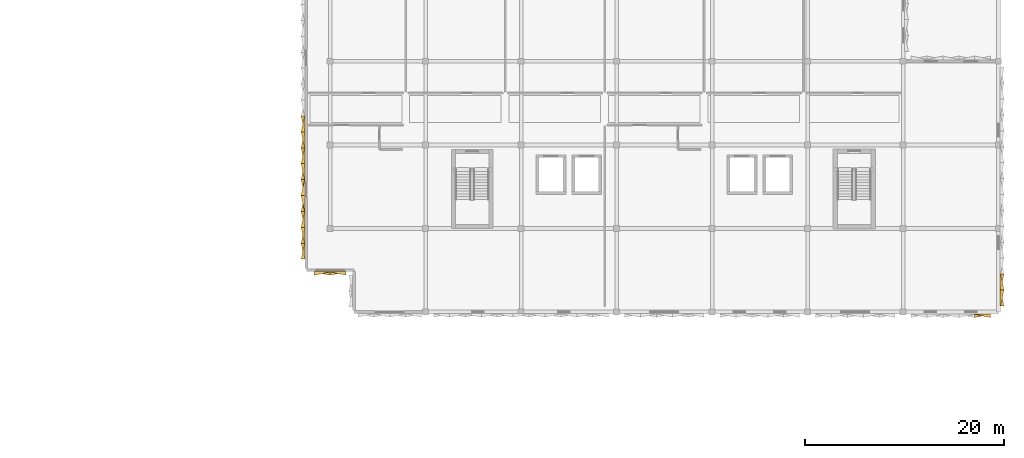
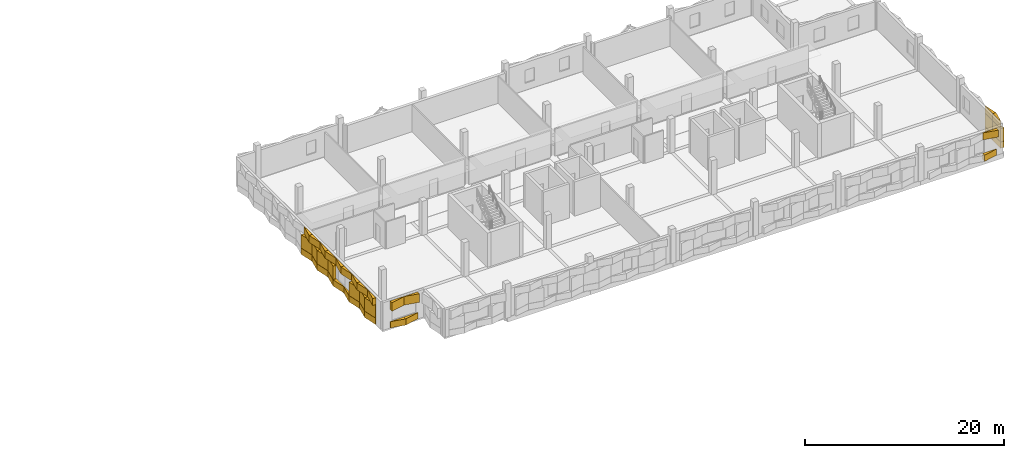
# One storey, part 15 of 18: 37 coverings.
"""IFC4 building model written with IfcOpenShell, lengths in metres."""

from ifc_helpers import new_model, si_unit, direction, frame, origin, place, context, subcontext, project, spatial, polyline, outline, extrude, material, type_object, element, save


model = new_model("IFC4")

# Units and contexts
model_context = context("Model", 3, precision=1e-05, world=origin(), true_north=direction((0.0, 1.0)))
body_context = subcontext(model_context, "Body", "Model", "MODEL_VIEW")
ifc_project = project(units=[si_unit("LENGTHUNIT", "METRE"), si_unit("AREAUNIT", "SQUARE_METRE"), si_unit("VOLUMEUNIT", "CUBIC_METRE"), si_unit("PLANEANGLEUNIT", "RADIAN"), si_unit("MASSUNIT", "GRAM", prefix="KILO")], contexts=[model_context])

# Site, building, storey
site_placement = place(None, origin())
site = spatial("IfcSite", under=ifc_project, at=site_placement, CompositionType="ELEMENT")
building_placement = place(site_placement, origin())
building = spatial("IfcBuilding", under=site, at=building_placement, Name="Oolite Switchyard Hospital", CompositionType="ELEMENT")
storey_placement = place(building_placement, frame((0.0, 0.0, 26.199951171875)))
storey = spatial("IfcBuildingStorey", under=building, at=storey_placement, Name="L06", CompositionType="ELEMENT", Elevation=26.199951171875)

# Coverings
ifc_material = material(Name="Precast oolitic limestone architectural concrete C40/50", Category="masonry")
covering_type = type_object("IfcCoveringType", Name="COV-CHEV-COOL", PredefinedType="CLADDING", material=ifc_material)
covering_1_placement = place(storey_placement, frame((210.39990234375, 100.610107421875, 0.050048828125), z_axis=(0.0, 0.0, 1.0), x_axis=(-1.0, 0.0, 0.0)))
element("IfcCovering", 1, at=covering_1_placement, inside=storey, type_object=covering_type, Name="L06 Chevron Precast Oolite Panel 1508", PredefinedType="CLADDING", context=body_context, shape_type="SweptSolid", body=[
    extrude(outline(polyline([(0.0, 0.0), (1.599853515625, 0.0), (1.599853515625, 0.385009765625), (0.0, 0.044921875), (0.0, 0.0)])), origin(), (0.0, 0.0, 1.0), 0.760009765625),
])
covering_2_placement = place(storey_placement, frame((210.39990234375, 100.610107421875, 2.489990234375), z_axis=(0.0, 0.0, 1.0), x_axis=(-1.0, 0.0, 0.0)))
element("IfcCovering", 2, at=covering_2_placement, inside=storey, type_object=covering_type, Name="L06 Chevron Precast Oolite Panel 1509", PredefinedType="CLADDING", context=body_context, shape_type="SweptSolid", body=[
    extrude(outline(polyline([(0.0, 0.0), (1.599853515625, 0.0), (1.599853515625, 0.044921875), (0.0, 0.385009765625), (0.0, 0.0)])), origin(), (0.0, 0.0, 1.0), 0.85009765625),
])
covering_3_placement = place(storey_placement, frame((145.60009765625, 104.8701171875, 0.050048828125), z_axis=(0.0, 0.0, 1.0), x_axis=(-1.0, 0.0, 0.0)))
element("IfcCovering", 3, at=covering_3_placement, inside=storey, type_object=covering_type, Name="L06 Chevron Precast Oolite Panel 1519", PredefinedType="CLADDING", context=body_context, shape_type="SweptSolid", body=[
    extrude(outline(polyline([(0.0, 0.0), (1.60009765625, 0.0), (1.60009765625, 0.385009765625), (0.0, 0.044921875), (0.0, 0.0)])), origin(), (0.0, 0.0, 1.0), 0.760009765625),
])
covering_4_placement = place(storey_placement, frame((145.60009765625, 104.8701171875, 2.2900390625), z_axis=(0.0, 0.0, 1.0), x_axis=(-1.0, 0.0, 0.0)))
element("IfcCovering", 4, at=covering_4_placement, inside=storey, type_object=covering_type, Name="L06 Chevron Precast Oolite Panel 1520", PredefinedType="CLADDING", context=body_context, shape_type="SweptSolid", body=[
    extrude(outline(polyline([(0.0, 0.0), (1.60009765625, 0.0), (1.60009765625, 0.044921875), (0.0, 0.385009765625), (0.0, 0.0)])), origin(), (0.0, 0.0, 1.0), 1.050048828125),
])
covering_5_placement = place(storey_placement, frame((144.0, 104.8701171875, 0.050048828125), z_axis=(0.0, 0.0, 1.0), x_axis=(-1.0, 0.0, 0.0)))
element("IfcCovering", 5, at=covering_5_placement, inside=storey, type_object=covering_type, Name="L06 Chevron Precast Oolite Panel 1521", PredefinedType="CLADDING", context=body_context, shape_type="SweptSolid", body=[
    extrude(outline(polyline([(0.0, 0.0), (1.60009765625, 0.0), (1.60009765625, 0.044921875), (0.0, 0.385009765625), (0.0, 0.0)])), origin(), (0.0, 0.0, 1.0), 0.760009765625),
])
covering_6_placement = place(storey_placement, frame((144.0, 104.8701171875, 2.2900390625), z_axis=(0.0, 0.0, 1.0), x_axis=(-1.0, 0.0, 0.0)))
element("IfcCovering", 6, at=covering_6_placement, inside=storey, type_object=covering_type, Name="L06 Chevron Precast Oolite Panel 1522", PredefinedType="CLADDING", context=body_context, shape_type="SweptSolid", body=[
    extrude(outline(polyline([(0.0, 0.0), (1.60009765625, 0.0), (1.60009765625, 0.385009765625), (0.0, 0.044921875), (0.0, 0.0)])), origin(), (0.0, 0.0, 1.0), 1.050048828125),
])
covering_7_placement = place(storey_placement, frame((141.469970703125, 106.10009765625, 0.050048828125), z_axis=(0.0, 0.0, 1.0), x_axis=(0.0, 1.0, 0.0)))
element("IfcCovering", 7, at=covering_7_placement, inside=storey, type_object=covering_type, Name="L06 Chevron Precast Oolite Panel 1595", PredefinedType="CLADDING", context=body_context, shape_type="SweptSolid", body=[
    extrude(outline(polyline([(0.0, 0.0), (1.599853515625, 0.0), (1.599853515625, 0.385009765625), (0.0, 0.044921875), (0.0, 0.0)])), origin(), (0.0, 0.0, 1.0), 0.760009765625),
])
covering_8_placement = place(storey_placement, frame((141.469970703125, 106.10009765625, 2.489990234375), z_axis=(0.0, 0.0, 1.0), x_axis=(0.0, 1.0, 0.0)))
element("IfcCovering", 8, at=covering_8_placement, inside=storey, type_object=covering_type, Name="L06 Chevron Precast Oolite Panel 1596", PredefinedType="CLADDING", context=body_context, shape_type="SweptSolid", body=[
    extrude(outline(polyline([(0.0, 0.0), (1.599853515625, 0.0), (1.599853515625, 0.044921875), (0.0, 0.385009765625), (0.0, 0.0)])), origin(), (0.0, 0.0, 1.0), 0.85009765625),
])
covering_9_placement = place(storey_placement, frame((141.469970703125, 106.10009765625, 0.830078125), z_axis=(0.0, 0.0, 1.0), x_axis=(0.0, 1.0, 0.0)))
element("IfcCovering", 9, at=covering_9_placement, inside=storey, type_object=covering_type, Name="L06 Chevron Precast Oolite Panel 1597", PredefinedType="CLADDING", context=body_context, shape_type="SweptSolid", body=[
    extrude(outline(polyline([(0.0, 0.0), (1.599853515625, 0.0), (1.599853515625, 0.385009765625), (0.0, 0.044921875), (0.0, 0.0)])), origin(), (0.0, 0.0, 1.0), 1.639892578125),
])
covering_10_placement = place(storey_placement, frame((141.469970703125, 107.699951171875, 0.050048828125), z_axis=(0.0, 0.0, 1.0), x_axis=(0.0, 1.0, 0.0)))
element("IfcCovering", 10, at=covering_10_placement, inside=storey, type_object=covering_type, Name="L06 Chevron Precast Oolite Panel 1598", PredefinedType="CLADDING", context=body_context, shape_type="SweptSolid", body=[
    extrude(outline(polyline([(0.0, 0.0), (1.60009765625, 0.0), (1.60009765625, 0.044921875), (0.0, 0.385009765625), (0.0, 0.0)])), origin(), (0.0, 0.0, 1.0), 0.760009765625),
])
covering_11_placement = place(storey_placement, frame((141.469970703125, 107.699951171875, 2.489990234375), z_axis=(0.0, 0.0, 1.0), x_axis=(0.0, 1.0, 0.0)))
element("IfcCovering", 11, at=covering_11_placement, inside=storey, type_object=covering_type, Name="L06 Chevron Precast Oolite Panel 1599", PredefinedType="CLADDING", context=body_context, shape_type="SweptSolid", body=[
    extrude(outline(polyline([(0.0, 0.0), (1.60009765625, 0.0), (1.60009765625, 0.385009765625), (0.0, 0.044921875), (0.0, 0.0)])), origin(), (0.0, 0.0, 1.0), 0.85009765625),
])
covering_12_placement = place(storey_placement, frame((141.469970703125, 107.699951171875, 0.830078125), z_axis=(0.0, 0.0, 1.0), x_axis=(0.0, 1.0, 0.0)))
element("IfcCovering", 12, at=covering_12_placement, inside=storey, type_object=covering_type, Name="L06 Chevron Precast Oolite Panel 1600", PredefinedType="CLADDING", context=body_context, shape_type="SweptSolid", body=[
    extrude(outline(polyline([(0.0, 0.0), (1.60009765625, 0.0), (1.60009765625, 0.044921875), (0.0, 0.385009765625), (0.0, 0.0)])), origin(), (0.0, 0.0, 1.0), 1.639892578125),
])
covering_13_placement = place(storey_placement, frame((141.469970703125, 109.300048828125, 0.050048828125), z_axis=(0.0, 0.0, 1.0), x_axis=(0.0, 1.0, 0.0)))
element("IfcCovering", 13, at=covering_13_placement, inside=storey, type_object=covering_type, Name="L06 Chevron Precast Oolite Panel 1601", PredefinedType="CLADDING", context=body_context, shape_type="SweptSolid", body=[
    extrude(outline(polyline([(0.0, 0.0), (1.599853515625, 0.0), (1.599853515625, 0.385009765625), (0.0, 0.044921875), (0.0, 0.0)])), origin(), (0.0, 0.0, 1.0), 0.760009765625),
])
covering_14_placement = place(storey_placement, frame((141.469970703125, 109.300048828125, 2.489990234375), z_axis=(0.0, 0.0, 1.0), x_axis=(0.0, 1.0, 0.0)))
element("IfcCovering", 14, at=covering_14_placement, inside=storey, type_object=covering_type, Name="L06 Chevron Precast Oolite Panel 1602", PredefinedType="CLADDING", context=body_context, shape_type="SweptSolid", body=[
    extrude(outline(polyline([(0.0, 0.0), (1.599853515625, 0.0), (1.599853515625, 0.044921875), (0.0, 0.385009765625), (0.0, 0.0)])), origin(), (0.0, 0.0, 1.0), 0.85009765625),
])
covering_15_placement = place(storey_placement, frame((141.469970703125, 109.300048828125, 0.830078125), z_axis=(0.0, 0.0, 1.0), x_axis=(0.0, 1.0, 0.0)))
element("IfcCovering", 15, at=covering_15_placement, inside=storey, type_object=covering_type, Name="L06 Chevron Precast Oolite Panel 1603", PredefinedType="CLADDING", context=body_context, shape_type="SweptSolid", body=[
    extrude(outline(polyline([(0.0, 0.0), (1.599853515625, 0.0), (1.599853515625, 0.385009765625), (0.0, 0.044921875), (0.0, 0.0)])), origin(), (0.0, 0.0, 1.0), 1.639892578125),
])
covering_16_placement = place(storey_placement, frame((141.469970703125, 110.89990234375, 0.050048828125), z_axis=(0.0, 0.0, 1.0), x_axis=(0.0, 1.0, 0.0)))
element("IfcCovering", 16, at=covering_16_placement, inside=storey, type_object=covering_type, Name="L06 Chevron Precast Oolite Panel 1604", PredefinedType="CLADDING", context=body_context, shape_type="SweptSolid", body=[
    extrude(outline(polyline([(0.0, 0.0), (1.60009765625, 0.0), (1.60009765625, 0.044921875), (0.0, 0.385009765625), (0.0, 0.0)])), origin(), (0.0, 0.0, 1.0), 0.760009765625),
])
covering_17_placement = place(storey_placement, frame((141.469970703125, 110.89990234375, 2.489990234375), z_axis=(0.0, 0.0, 1.0), x_axis=(0.0, 1.0, 0.0)))
element("IfcCovering", 17, at=covering_17_placement, inside=storey, type_object=covering_type, Name="L06 Chevron Precast Oolite Panel 1605", PredefinedType="CLADDING", context=body_context, shape_type="SweptSolid", body=[
    extrude(outline(polyline([(0.0, 0.0), (1.60009765625, 0.0), (1.60009765625, 0.385009765625), (0.0, 0.044921875), (0.0, 0.0)])), origin(), (0.0, 0.0, 1.0), 0.85009765625),
])
covering_18_placement = place(storey_placement, frame((141.469970703125, 112.5, 0.050048828125), z_axis=(0.0, 0.0, 1.0), x_axis=(0.0, 1.0, 0.0)))
element("IfcCovering", 18, at=covering_18_placement, inside=storey, type_object=covering_type, Name="L06 Chevron Precast Oolite Panel 1606", PredefinedType="CLADDING", context=body_context, shape_type="SweptSolid", body=[
    extrude(outline(polyline([(0.0, 0.0), (1.60009765625, 0.0), (1.60009765625, 0.385009765625), (0.0, 0.044921875), (0.0, 0.0)])), origin(), (0.0, 0.0, 1.0), 0.760009765625),
])
covering_19_placement = place(storey_placement, frame((141.469970703125, 112.5, 2.489990234375), z_axis=(0.0, 0.0, 1.0), x_axis=(0.0, 1.0, 0.0)))
element("IfcCovering", 19, at=covering_19_placement, inside=storey, type_object=covering_type, Name="L06 Chevron Precast Oolite Panel 1607", PredefinedType="CLADDING", context=body_context, shape_type="SweptSolid", body=[
    extrude(outline(polyline([(0.0, 0.0), (1.60009765625, 0.0), (1.60009765625, 0.044921875), (0.0, 0.385009765625), (0.0, 0.0)])), origin(), (0.0, 0.0, 1.0), 0.85009765625),
])
covering_20_placement = place(storey_placement, frame((141.469970703125, 114.10009765625, 0.050048828125), z_axis=(0.0, 0.0, 1.0), x_axis=(0.0, 1.0, 0.0)))
element("IfcCovering", 20, at=covering_20_placement, inside=storey, type_object=covering_type, Name="L06 Chevron Precast Oolite Panel 1608", PredefinedType="CLADDING", context=body_context, shape_type="SweptSolid", body=[
    extrude(outline(polyline([(0.0, 0.0), (1.599853515625, 0.0), (1.599853515625, 0.044921875), (0.0, 0.385009765625), (0.0, 0.0)])), origin(), (0.0, 0.0, 1.0), 0.760009765625),
])
covering_21_placement = place(storey_placement, frame((141.469970703125, 114.10009765625, 2.489990234375), z_axis=(0.0, 0.0, 1.0), x_axis=(0.0, 1.0, 0.0)))
element("IfcCovering", 21, at=covering_21_placement, inside=storey, type_object=covering_type, Name="L06 Chevron Precast Oolite Panel 1609", PredefinedType="CLADDING", context=body_context, shape_type="SweptSolid", body=[
    extrude(outline(polyline([(0.0, 0.0), (1.599853515625, 0.0), (1.599853515625, 0.385009765625), (0.0, 0.044921875), (0.0, 0.0)])), origin(), (0.0, 0.0, 1.0), 0.85009765625),
])
covering_22_placement = place(storey_placement, frame((141.469970703125, 114.10009765625, 0.830078125), z_axis=(0.0, 0.0, 1.0), x_axis=(0.0, 1.0, 0.0)))
element("IfcCovering", 22, at=covering_22_placement, inside=storey, type_object=covering_type, Name="L06 Chevron Precast Oolite Panel 1610", PredefinedType="CLADDING", context=body_context, shape_type="SweptSolid", body=[
    extrude(outline(polyline([(0.0, 0.0), (1.599853515625, 0.0), (1.599853515625, 0.044921875), (0.0, 0.385009765625), (0.0, 0.0)])), origin(), (0.0, 0.0, 1.0), 1.639892578125),
])
covering_23_placement = place(storey_placement, frame((141.469970703125, 115.699951171875, 0.050048828125), z_axis=(0.0, 0.0, 1.0), x_axis=(0.0, 1.0, 0.0)))
element("IfcCovering", 23, at=covering_23_placement, inside=storey, type_object=covering_type, Name="L06 Chevron Precast Oolite Panel 1611", PredefinedType="CLADDING", context=body_context, shape_type="SweptSolid", body=[
    extrude(outline(polyline([(0.0, 0.0), (1.60009765625, 0.0), (1.60009765625, 0.385009765625), (0.0, 0.044921875), (0.0, 0.0)])), origin(), (0.0, 0.0, 1.0), 0.760009765625),
])
covering_24_placement = place(storey_placement, frame((141.469970703125, 115.699951171875, 2.489990234375), z_axis=(0.0, 0.0, 1.0), x_axis=(0.0, 1.0, 0.0)))
element("IfcCovering", 24, at=covering_24_placement, inside=storey, type_object=covering_type, Name="L06 Chevron Precast Oolite Panel 1612", PredefinedType="CLADDING", context=body_context, shape_type="SweptSolid", body=[
    extrude(outline(polyline([(0.0, 0.0), (1.60009765625, 0.0), (1.60009765625, 0.044921875), (0.0, 0.385009765625), (0.0, 0.0)])), origin(), (0.0, 0.0, 1.0), 0.85009765625),
])
covering_25_placement = place(storey_placement, frame((141.469970703125, 115.699951171875, 0.830078125), z_axis=(0.0, 0.0, 1.0), x_axis=(0.0, 1.0, 0.0)))
element("IfcCovering", 25, at=covering_25_placement, inside=storey, type_object=covering_type, Name="L06 Chevron Precast Oolite Panel 1613", PredefinedType="CLADDING", context=body_context, shape_type="SweptSolid", body=[
    extrude(outline(polyline([(0.0, 0.0), (1.60009765625, 0.0), (1.60009765625, 0.385009765625), (0.0, 0.044921875), (0.0, 0.0)])), origin(), (0.0, 0.0, 1.0), 1.639892578125),
])
covering_26_placement = place(storey_placement, frame((141.469970703125, 117.300048828125, 0.050048828125), z_axis=(0.0, 0.0, 1.0), x_axis=(0.0, 1.0, 0.0)))
element("IfcCovering", 26, at=covering_26_placement, inside=storey, type_object=covering_type, Name="L06 Chevron Precast Oolite Panel 1614", PredefinedType="CLADDING", context=body_context, shape_type="SweptSolid", body=[
    extrude(outline(polyline([(0.0, 0.0), (1.599853515625, 0.0), (1.599853515625, 0.044921875), (0.0, 0.385009765625), (0.0, 0.0)])), origin(), (0.0, 0.0, 1.0), 0.760009765625),
])
covering_27_placement = place(storey_placement, frame((141.469970703125, 117.300048828125, 2.489990234375), z_axis=(0.0, 0.0, 1.0), x_axis=(0.0, 1.0, 0.0)))
element("IfcCovering", 27, at=covering_27_placement, inside=storey, type_object=covering_type, Name="L06 Chevron Precast Oolite Panel 1615", PredefinedType="CLADDING", context=body_context, shape_type="SweptSolid", body=[
    extrude(outline(polyline([(0.0, 0.0), (1.599853515625, 0.0), (1.599853515625, 0.385009765625), (0.0, 0.044921875), (0.0, 0.0)])), origin(), (0.0, 0.0, 1.0), 0.85009765625),
])
covering_28_placement = place(storey_placement, frame((141.469970703125, 117.300048828125, 0.830078125), z_axis=(0.0, 0.0, 1.0), x_axis=(0.0, 1.0, 0.0)))
element("IfcCovering", 28, at=covering_28_placement, inside=storey, type_object=covering_type, Name="L06 Chevron Precast Oolite Panel 1616", PredefinedType="CLADDING", context=body_context, shape_type="SweptSolid", body=[
    extrude(outline(polyline([(0.0, 0.0), (1.599853515625, 0.0), (1.599853515625, 0.044921875), (0.0, 0.385009765625), (0.0, 0.0)])), origin(), (0.0, 0.0, 1.0), 1.639892578125),
])
covering_29_placement = place(storey_placement, frame((141.469970703125, 118.89990234375, 0.050048828125), z_axis=(0.0, 0.0, 1.0), x_axis=(0.0, 1.0, 0.0)))
element("IfcCovering", 29, at=covering_29_placement, inside=storey, type_object=covering_type, Name="L06 Chevron Precast Oolite Panel 1617", PredefinedType="CLADDING", context=body_context, shape_type="SweptSolid", body=[
    extrude(outline(polyline([(0.0, 0.0), (1.60009765625, 0.0), (1.60009765625, 0.385009765625), (0.0, 0.044921875), (0.0, 0.0)])), origin(), (0.0, 0.0, 1.0), 0.760009765625),
])
covering_30_placement = place(storey_placement, frame((141.469970703125, 118.89990234375, 2.489990234375), z_axis=(0.0, 0.0, 1.0), x_axis=(0.0, 1.0, 0.0)))
element("IfcCovering", 30, at=covering_30_placement, inside=storey, type_object=covering_type, Name="L06 Chevron Precast Oolite Panel 1618", PredefinedType="CLADDING", context=body_context, shape_type="SweptSolid", body=[
    extrude(outline(polyline([(0.0, 0.0), (1.60009765625, 0.0), (1.60009765625, 0.044921875), (0.0, 0.385009765625), (0.0, 0.0)])), origin(), (0.0, 0.0, 1.0), 0.85009765625),
])
covering_31_placement = place(storey_placement, frame((141.469970703125, 118.89990234375, 0.830078125), z_axis=(0.0, 0.0, 1.0), x_axis=(0.0, 1.0, 0.0)))
element("IfcCovering", 31, at=covering_31_placement, inside=storey, type_object=covering_type, Name="L06 Chevron Precast Oolite Panel 1619", PredefinedType="CLADDING", context=body_context, shape_type="SweptSolid", body=[
    extrude(outline(polyline([(0.0, 0.0), (1.60009765625, 0.0), (1.60009765625, 0.385009765625), (0.0, 0.044921875), (0.0, 0.0)])), origin(), (0.0, 0.0, 1.0), 1.639892578125),
])
covering_32_placement = place(storey_placement, frame((211.360107421875, 104.60009765625, 0.050048828125), z_axis=(0.0, 0.0, 1.0), x_axis=(0.0, -1.0, 0.0)))
element("IfcCovering", 32, at=covering_32_placement, inside=storey, type_object=covering_type, Name="L06 Chevron Precast Oolite Panel 1691", PredefinedType="CLADDING", context=body_context, shape_type="SweptSolid", body=[
    extrude(outline(polyline([(0.0, 0.0), (1.60009765625, 0.0), (1.60009765625, 0.044921875), (0.0, 0.385009765625), (0.0, 0.0)])), origin(), (0.0, 0.0, 1.0), 0.760009765625),
])
covering_33_placement = place(storey_placement, frame((211.360107421875, 104.60009765625, 2.489990234375), z_axis=(0.0, 0.0, 1.0), x_axis=(0.0, -1.0, 0.0)))
element("IfcCovering", 33, at=covering_33_placement, inside=storey, type_object=covering_type, Name="L06 Chevron Precast Oolite Panel 1692", PredefinedType="CLADDING", context=body_context, shape_type="SweptSolid", body=[
    extrude(outline(polyline([(0.0, 0.0), (1.60009765625, 0.0), (1.60009765625, 0.385009765625), (0.0, 0.044921875), (0.0, 0.0)])), origin(), (0.0, 0.0, 1.0), 0.85009765625),
])
covering_34_placement = place(storey_placement, frame((211.360107421875, 104.60009765625, 0.830078125), z_axis=(0.0, 0.0, 1.0), x_axis=(0.0, -1.0, 0.0)))
element("IfcCovering", 34, at=covering_34_placement, inside=storey, type_object=covering_type, Name="L06 Chevron Precast Oolite Panel 1693", PredefinedType="CLADDING", context=body_context, shape_type="SweptSolid", body=[
    extrude(outline(polyline([(0.0, 0.0), (1.60009765625, 0.0), (1.60009765625, 0.044921875), (0.0, 0.385009765625), (0.0, 0.0)])), origin(), (0.0, 0.0, 1.0), 1.639892578125),
])
covering_35_placement = place(storey_placement, frame((211.360107421875, 103.0, 0.050048828125), z_axis=(0.0, 0.0, 1.0), x_axis=(0.0, -1.0, 0.0)))
element("IfcCovering", 35, at=covering_35_placement, inside=storey, type_object=covering_type, Name="L06 Chevron Precast Oolite Panel 1694", PredefinedType="CLADDING", context=body_context, shape_type="SweptSolid", body=[
    extrude(outline(polyline([(0.0, 0.0), (1.60009765625, 0.0), (1.60009765625, 0.385009765625), (0.0, 0.044921875), (0.0, 0.0)])), origin(), (0.0, 0.0, 1.0), 0.760009765625),
])
covering_36_placement = place(storey_placement, frame((211.360107421875, 103.0, 2.489990234375), z_axis=(0.0, 0.0, 1.0), x_axis=(0.0, -1.0, 0.0)))
element("IfcCovering", 36, at=covering_36_placement, inside=storey, type_object=covering_type, Name="L06 Chevron Precast Oolite Panel 1695", PredefinedType="CLADDING", context=body_context, shape_type="SweptSolid", body=[
    extrude(outline(polyline([(0.0, 0.0), (1.60009765625, 0.0), (1.60009765625, 0.044921875), (0.0, 0.385009765625), (0.0, 0.0)])), origin(), (0.0, 0.0, 1.0), 0.85009765625),
])
covering_37_placement = place(storey_placement, frame((211.360107421875, 103.0, 0.830078125), z_axis=(0.0, 0.0, 1.0), x_axis=(0.0, -1.0, 0.0)))
element("IfcCovering", 37, at=covering_37_placement, inside=storey, type_object=covering_type, Name="L06 Chevron Precast Oolite Panel 1696", PredefinedType="CLADDING", context=body_context, shape_type="SweptSolid", body=[
    extrude(outline(polyline([(0.0, 0.0), (1.60009765625, 0.0), (1.60009765625, 0.385009765625), (0.0, 0.044921875), (0.0, 0.0)])), origin(), (0.0, 0.0, 1.0), 1.639892578125),
])

save(model, "model.ifc")
